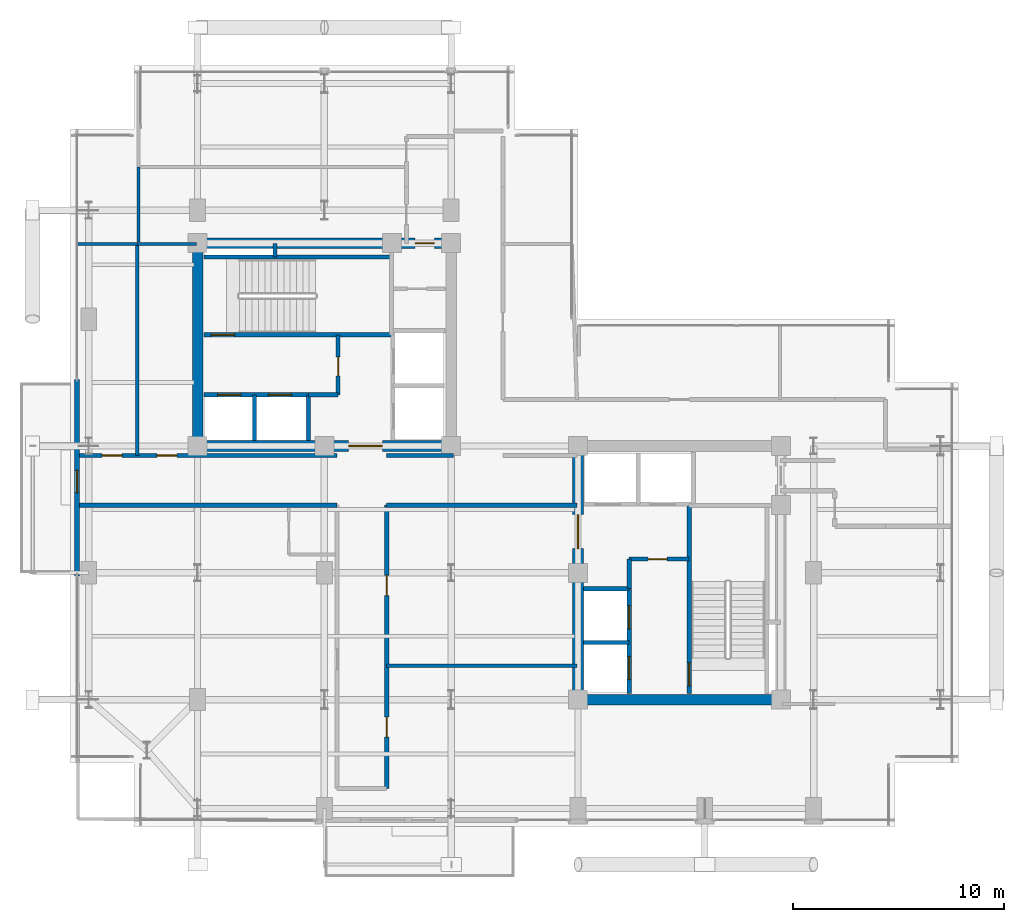
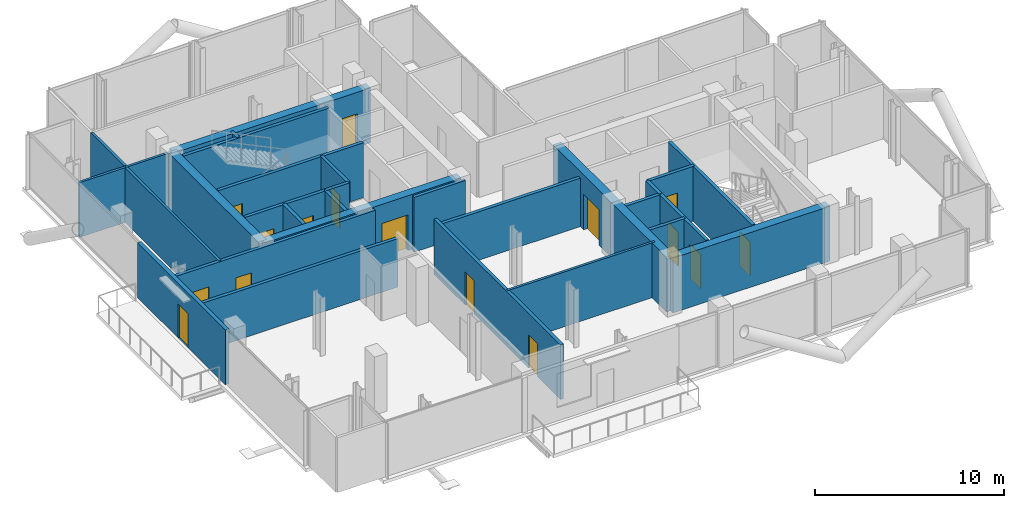
# One storey, part 17 of 21: 30 walls, 16 doors, 16 openings.
"""IFC4 building model written with IfcOpenShell, lengths in metres."""

from ifc_helpers import new_model, si_unit, direction, frame, frame_2d, origin, place, context, subcontext, project, spatial, rectangle, extrude, material, layer, layer_set, type_object, element, fill, save


model = new_model("IFC4")

# Units and contexts
model_context = context("Model", 3, precision=1e-05, world=origin(), true_north=direction((0.0, 1.0)))
body_context = subcontext(model_context, "Body", "Model", "MODEL_VIEW")
ifc_project = project(units=[si_unit("LENGTHUNIT", "METRE"), si_unit("AREAUNIT", "SQUARE_METRE"), si_unit("VOLUMEUNIT", "CUBIC_METRE"), si_unit("PLANEANGLEUNIT", "RADIAN"), si_unit("MASSUNIT", "GRAM", prefix="KILO"), si_unit("THERMODYNAMICTEMPERATUREUNIT", "KELVIN"), si_unit("POWERUNIT", "WATT")], contexts=[model_context])

# Site, building, storey
site_placement = place(None, origin())
site = spatial("IfcSite", under=ifc_project, at=site_placement, CompositionType="ELEMENT")
building_placement = place(site_placement, origin())
building = spatial("IfcBuilding", under=site, at=building_placement, Name="Svarakhadi Broadcast Tower", CompositionType="ELEMENT")
storey_placement = place(building_placement, frame((0.0, 0.0, 219.89990234375)))
storey = spatial("IfcBuildingStorey", under=building, at=storey_placement, Name="L54", CompositionType="ELEMENT", Elevation=219.89990234375)

# Wall, opening, door
ifc_material_1 = material(Name="Concrete C40/50 (IS 456 M50)", Category="concrete")
ifc_layer_1 = layer(ifc_material_1, 0.239990234375)
ifc_layer_set_1 = layer_set([ifc_layer_1], Name="Concrete C40/50 (IS 456 M50)")
wall_type_1 = type_object("IfcWallType", Name="Wall_Ext_240", PredefinedType="SOLIDWALL", material=ifc_layer_set_1)
wall_1_placement = place(storey_placement, frame((0.300048828125, 11.85498046875, 0.0), z_axis=(0.0, 0.0, 1.0), x_axis=(0.0, 1.0, 0.0)))
wall_1 = element("IfcWall", 1, at=wall_1_placement, inside=storey, type_object=wall_type_1, Name="L54 West Tree Balcony Spandrel Wall", PredefinedType="SOLIDWALL", context=body_context, shape_type="SweptSolid", body=[
    extrude(rectangle(XDim=9.2900390625, YDim=0.239990234375, at=frame_2d((4.64501953125, 0.0))), origin(), (0.0, 0.0, 1.0), 3.5400390625),
])
opening_1_placement = place(wall_1_placement, frame((3.945068359375, 0.0, 0.0)))
opening_1 = element("IfcOpeningElement", 2, at=opening_1_placement, cuts=wall_1, Name="Opening ED-05", PredefinedType="OPENING", context=body_context, shape_type="SweptSolid", body=[
    extrude(rectangle(XDim=1.050048828125, YDim=2.199951171875, at=frame_2d((0.52490234375, 1.10009765625))), frame((0.0, 0.1298828125, 0.0), z_axis=(0.0, -1.0, 0.0), x_axis=(1.0, 0.0, 0.0)), (0.0, 0.0, 1.0), 0.260009765625),
])
ifc_material_2 = material(Name="Anodised Bronze Aluminium AA 6063-T6", Category="aluminium")
door_type_1 = type_object("IfcDoorType", Name="Door_Ext_ED05", OperationType="SINGLE_SWING_LEFT", PredefinedType="DOOR", material=ifc_material_2)
door_1_placement = place(opening_1_placement, origin())
door_1 = element("IfcDoor", 3, at=door_1_placement, inside=storey, type_object=door_type_1, Name="L54 West Tree Balcony Door", OperationType="SINGLE_SWING_LEFT", OverallHeight=2.199951171875, OverallWidth=1.050048828125, PredefinedType="DOOR", context=body_context, shape_type="SweptSolid", body=[
    extrude(rectangle(XDim=1.050048828125, YDim=2.199951171875, at=frame_2d((0.52490234375, 1.10009765625))), frame((0.0, 0.02490234375, 0.0), z_axis=(0.0, -1.0, 0.0), x_axis=(1.0, 0.0, 0.0)), (0.0, 0.0, 1.0), 0.050048828125),
])
fill(opening_1, door_1)

# Wall
ifc_layer_2 = layer(ifc_material_1, 0.199951171875)
ifc_layer_set_2 = layer_set([ifc_layer_2], Name="Concrete C40/50 (IS 456 M50)")
wall_type_2 = type_object("IfcWallType", Name="Wall_Fire_200", PredefinedType="SOLIDWALL", material=ifc_layer_set_2)
wall_2_placement = place(storey_placement, frame((9.659912109375, 26.93994140625, 0.0), z_axis=(0.0, 0.0, 1.0), x_axis=(0.0, 1.0, 0.0)))
element("IfcWall", 4, at=wall_2_placement, inside=storey, type_object=wall_type_2, Name="L54 Wet Riser Shaft East Wall", PredefinedType="SOLIDWALL", context=body_context, shape_type="SweptSolid", body=[
    extrude(rectangle(XDim=0.64013671875, YDim=0.199951171875, at=frame_2d((0.320068359375, 0.0))), origin(), (0.0, 0.0, 1.0), 3.5400390625),
])

# Wall, openings, doors
wall_3_placement = place(storey_placement, frame((0.300048828125, 17.550048828125, 0.0), z_axis=(0.0, 0.0, 1.0), x_axis=(1.0, 0.0, 0.0)))
wall_3 = element("IfcWall", 5, at=wall_3_placement, inside=storey, type_object=wall_type_2, Name="L54 Upper Tower Concourse Wall", PredefinedType="SOLIDWALL", context=body_context, shape_type="SweptSolid", body=[
    extrude(rectangle(XDim=12.300048828125, YDim=0.199951171875, at=frame_2d((6.14990234375, 0.0))), origin(), (0.0, 0.0, 1.0), 3.5400390625),
])
opening_2_placement = place(wall_3_placement, frame((1.179931640625, 0.0, 0.0)))
opening_2 = element("IfcOpeningElement", 6, at=opening_2_placement, cuts=wall_3, Name="Opening D-07", PredefinedType="OPENING", context=body_context, shape_type="SweptSolid", body=[
    extrude(rectangle(XDim=0.949951171875, YDim=2.14990234375, at=frame_2d((0.47509765625, 1.074951171875))), frame((0.0, 0.10986328125, 0.0), z_axis=(0.0, -1.0, 0.0), x_axis=(1.0, 0.0, 0.0)), (0.0, 0.0, 1.0), 0.219970703125),
])
opening_3_placement = place(wall_3_placement, frame((3.77490234375, 0.0, 0.0)))
opening_3 = element("IfcOpeningElement", 7, at=opening_3_placement, cuts=wall_3, Name="Opening D-06", PredefinedType="OPENING", context=body_context, shape_type="SweptSolid", body=[
    extrude(rectangle(XDim=0.949951171875, YDim=2.14990234375, at=frame_2d((0.47509765625, 1.074951171875))), frame((0.0, 0.10986328125, 0.0), z_axis=(0.0, -1.0, 0.0), x_axis=(1.0, 0.0, 0.0)), (0.0, 0.0, 1.0), 0.219970703125),
])
ifc_material_3 = material(Name="Solid-Core Teak Veneer Acoustic Timber Leaf", Category="wood")
door_type_2 = type_object("IfcDoorType", Name="Door_Office_D06", OperationType="SINGLE_SWING_LEFT", PredefinedType="DOOR", material=ifc_material_3)
door_2_placement = place(opening_3_placement, origin())
door_2 = element("IfcDoor", 8, at=door_2_placement, inside=storey, type_object=door_type_2, Name="L54 Private Study and Library Office Door", OperationType="SINGLE_SWING_LEFT", OverallHeight=2.14990234375, OverallWidth=0.949951171875, PredefinedType="DOOR", context=body_context, shape_type="SweptSolid", body=[
    extrude(rectangle(XDim=0.949951171875, YDim=2.14990234375, at=frame_2d((0.47509765625, 1.074951171875))), frame((0.0, 0.02490234375, 0.0), z_axis=(0.0, -1.0, 0.0), x_axis=(1.0, 0.0, 0.0)), (0.0, 0.0, 1.0), 0.050048828125),
])
fill(opening_3, door_2)
door_type_3 = type_object("IfcDoorType", Name="Door_Office_D07", OperationType="SINGLE_SWING_RIGHT", PredefinedType="DOOR", material=ifc_material_3)
door_3_placement = place(opening_2_placement, origin())
door_3 = element("IfcDoor", 9, at=door_3_placement, inside=storey, type_object=door_type_3, Name="L54 Arabian Sea Panorama Salon Door", OperationType="SINGLE_SWING_RIGHT", OverallHeight=2.14990234375, OverallWidth=0.949951171875, PredefinedType="DOOR", context=body_context, shape_type="SweptSolid", body=[
    extrude(rectangle(XDim=0.949951171875, YDim=2.14990234375, at=frame_2d((0.47509765625, 1.074951171875))), frame((0.0, 0.02490234375, 0.0), z_axis=(0.0, -1.0, 0.0), x_axis=(1.0, 0.0, 0.0)), (0.0, 0.0, 1.0), 0.050048828125),
])
fill(opening_2, door_3)

# Walls
wall_4_placement = place(storey_placement, frame((14.949951171875, 17.550048828125, 0.0), z_axis=(0.0, 0.0, 1.0), x_axis=(1.0, 0.0, 0.0)))
element("IfcWall", 10, at=wall_4_placement, inside=storey, type_object=wall_type_2, Name="L54 Upper Tower Concourse Wall", PredefinedType="SOLIDWALL", context=body_context, shape_type="SweptSolid", body=[
    extrude(rectangle(XDim=3.150146484375, YDim=0.199951171875, at=frame_2d((1.5751953125, 0.0))), origin(), (0.0, 0.0, 1.0), 3.5400390625),
])
wall_5_placement = place(storey_placement, frame((23.949951171875, 15.199951171875, 0.0), z_axis=(0.0, 0.0, 1.0), x_axis=(-1.0, 0.0, 0.0)))
element("IfcWall", 11, at=wall_5_placement, inside=storey, type_object=wall_type_2, Name="L54 Upper Tower Concourse Wall", PredefinedType="SOLIDWALL", context=body_context, shape_type="SweptSolid", body=[
    extrude(rectangle(XDim=9.0, YDim=0.199951171875, at=frame_2d((4.5, 0.0))), origin(), (0.0, 0.0, 1.0), 3.132080078125),
])

# Wall, openings, doors
wall_6_placement = place(storey_placement, frame((14.949951171875, 15.199951171875, 0.0), z_axis=(0.0, 0.0, 1.0), x_axis=(0.0, -1.0, 0.0)))
wall_6 = element("IfcWall", 12, at=wall_6_placement, inside=storey, type_object=wall_type_2, Name="L54 Upper Tower Concourse Wall", PredefinedType="SOLIDWALL", context=body_context, shape_type="SweptSolid", body=[
    extrude(rectangle(XDim=13.39990234375, YDim=0.199951171875, at=frame_2d((6.699951171875, 0.0))), origin(), (0.0, 0.0, 1.0), 3.5400390625),
])
opening_4_placement = place(wall_6_placement, frame((10.02490234375, 0.0, 0.0)))
opening_4 = element("IfcOpeningElement", 13, at=opening_4_placement, cuts=wall_6, Name="Opening D-07", PredefinedType="OPENING", context=body_context, shape_type="SweptSolid", body=[
    extrude(rectangle(XDim=0.949951171875, YDim=2.14990234375, at=frame_2d((0.47509765625, 1.074951171875))), frame((0.0, 0.10986328125, 0.0), z_axis=(0.0, -1.0, 0.0), x_axis=(1.0, 0.0, 0.0)), (0.0, 0.0, 1.0), 0.219970703125),
])
opening_5_placement = place(wall_6_placement, frame((3.324951171875, 0.0, 0.0)))
opening_5 = element("IfcOpeningElement", 14, at=opening_5_placement, cuts=wall_6, Name="Opening D-06", PredefinedType="OPENING", context=body_context, shape_type="SweptSolid", body=[
    extrude(rectangle(XDim=0.949951171875, YDim=2.14990234375, at=frame_2d((0.47509765625, 1.074951171875))), frame((0.0, 0.10986328125, 0.0), z_axis=(0.0, -1.0, 0.0), x_axis=(1.0, 0.0, 0.0)), (0.0, 0.0, 1.0), 0.219970703125),
])
door_4_placement = place(opening_5_placement, origin())
door_4 = element("IfcDoor", 15, at=door_4_placement, inside=storey, type_object=door_type_2, Name="L54 Banquet Finishing Kitchen Door", OperationType="SINGLE_SWING_LEFT", OverallHeight=2.14990234375, OverallWidth=0.949951171875, PredefinedType="DOOR", context=body_context, shape_type="SweptSolid", body=[
    extrude(rectangle(XDim=0.949951171875, YDim=2.14990234375, at=frame_2d((0.47509765625, 1.074951171875))), frame((0.0, 0.02490234375, 0.0), z_axis=(0.0, -1.0, 0.0), x_axis=(1.0, 0.0, 0.0)), (0.0, 0.0, 1.0), 0.050048828125),
])
fill(opening_5, door_4)
door_5_placement = place(opening_4_placement, origin())
door_5 = element("IfcDoor", 16, at=door_5_placement, inside=storey, type_object=door_type_3, Name="L54 Skyline Private Banquet Dining Room Door", OperationType="SINGLE_SWING_RIGHT", OverallHeight=2.14990234375, OverallWidth=0.949951171875, PredefinedType="DOOR", context=body_context, shape_type="SweptSolid", body=[
    extrude(rectangle(XDim=0.949951171875, YDim=2.14990234375, at=frame_2d((0.47509765625, 1.074951171875))), frame((0.0, 0.02490234375, 0.0), z_axis=(0.0, -1.0, 0.0), x_axis=(1.0, 0.0, 0.0)), (0.0, 0.0, 1.0), 0.050048828125),
])
fill(opening_4, door_5)

# Walls
wall_7_placement = place(storey_placement, frame((12.60009765625, 15.199951171875, 0.0), z_axis=(0.0, 0.0, 1.0), x_axis=(-1.0, 0.0, 0.0)))
element("IfcWall", 17, at=wall_7_placement, inside=storey, type_object=wall_type_2, Name="L54 Upper Tower Concourse Wall", PredefinedType="SOLIDWALL", context=body_context, shape_type="SweptSolid", body=[
    extrude(rectangle(XDim=12.300048828125, YDim=0.199951171875, at=frame_2d((6.14990234375, 0.0))), origin(), (0.0, 0.0, 1.0), 3.132080078125),
])
ifc_material_4 = material(Name="Autoclaved Aerated Concrete Blockwork 150 mm", Category="masonry")
ifc_layer_3 = layer(ifc_material_4, 0.14990234375)
ifc_layer_set_3 = layer_set([ifc_layer_3], Name="Autoclaved Aerated Concrete Blockwork 150 mm")
wall_type_3 = type_object("IfcWallType", Name="Wall_Part_150", PredefinedType="PARTITIONING", material=ifc_layer_set_3)
wall_8_placement = place(storey_placement, frame((0.300048828125, 27.550048828125, 0.0), z_axis=(0.0, 0.0, 1.0), x_axis=(1.0, 0.0, 0.0)))
element("IfcWall", 18, at=wall_8_placement, inside=storey, type_object=wall_type_3, Name="L54 Arabian Sea Panorama Salon Wall", PredefinedType="PARTITIONING", context=body_context, shape_type="SweptSolid", body=[
    extrude(rectangle(XDim=2.849853515625, YDim=0.14990234375, at=frame_2d((1.4248046875, 0.0))), origin(), (0.0, 0.0, 1.0), 3.5400390625),
])
wall_9_placement = place(storey_placement, frame((3.14990234375, 17.550048828125, 0.0), z_axis=(0.0, 0.0, 1.0), x_axis=(0.0, 1.0, 0.0)))
element("IfcWall", 19, at=wall_9_placement, inside=storey, type_object=wall_type_3, Name="L54 Arabian Sea Panorama Salon Wall", PredefinedType="PARTITIONING", context=body_context, shape_type="SweptSolid", body=[
    extrude(rectangle(XDim=10.0, YDim=0.14990234375, at=frame_2d((5.0, 0.0))), origin(), (0.0, 0.0, 1.0), 3.5400390625),
])
wall_10_placement = place(storey_placement, frame((3.14990234375, 27.550048828125, 0.0), z_axis=(0.0, 0.0, 1.0), x_axis=(1.0, 0.0, 0.0)))
element("IfcWall", 20, at=wall_10_placement, inside=storey, type_object=wall_type_3, Name="L54 Private Study and Library Office Wall", PredefinedType="PARTITIONING", context=body_context, shape_type="SweptSolid", body=[
    extrude(rectangle(XDim=2.800048828125, YDim=0.14990234375, at=frame_2d((1.39990234375, 0.0))), origin(), (0.0, 0.0, 1.0), 3.5400390625),
])
wall_11_placement = place(storey_placement, frame((14.949951171875, 7.60009765625, 0.0), z_axis=(0.0, 0.0, 1.0), x_axis=(1.0, 0.0, 0.0)))
element("IfcWall", 21, at=wall_11_placement, inside=storey, type_object=wall_type_3, Name="L54 Skyline Private Banquet Dining Room Wall", PredefinedType="PARTITIONING", context=body_context, shape_type="SweptSolid", body=[
    extrude(rectangle(XDim=9.0, YDim=0.14990234375, at=frame_2d((4.5, 0.0))), origin(), (0.0, 0.0, 1.0), 3.5400390625),
])
wall_12_placement = place(storey_placement, frame((3.199951171875, 27.64990234375, 0.0), z_axis=(0.0, 0.0, 1.0), x_axis=(0.0, 1.0, 0.0)))
element("IfcWall", 22, at=wall_12_placement, inside=storey, type_object=wall_type_3, Name="L54 Ambassador Sky Lounge Wall", PredefinedType="PARTITIONING", context=body_context, shape_type="SweptSolid", body=[
    extrude(rectangle(XDim=3.550048828125, YDim=0.14990234375, at=frame_2d((1.77490234375, 0.0))), origin(), (0.0, 0.0, 1.0), 3.5400390625),
])

# Wall, opening, door
ifc_material_5 = material(Name="Concrete C50/60 (IS 456 M60)", Category="concrete")
ifc_layer_4 = layer(ifc_material_5, 0.199951171875)
ifc_layer_set_4 = layer_set([ifc_layer_4], Name="Concrete C50/60 (IS 456 M60)")
wall_type_4 = type_object("IfcWallType", Name="Wall_Shear_200", PredefinedType="SHEAR", material=ifc_layer_set_4)
wall_13_placement = place(storey_placement, frame((6.300048828125, 23.260009765625, 0.0), z_axis=(0.0, 0.0, 1.0), x_axis=(1.0, 0.0, 0.0)))
wall_13 = element("IfcWall", 23, at=wall_13_placement, inside=storey, type_object=wall_type_4, Name="L54 Stair ST-01 South RC Shaft Wall", PredefinedType="SHEAR", context=body_context, shape_type="SweptSolid", body=[
    extrude(rectangle(XDim=8.8798828125, YDim=0.199951171875, at=frame_2d((4.43994140625, 0.0))), origin(), (0.0, 0.0, 1.0), 3.5400390625),
])
opening_6_placement = place(wall_13_placement, frame((0.35009765625, 0.0, 0.0)))
opening_6 = element("IfcOpeningElement", 24, at=opening_6_placement, cuts=wall_13, Name="Opening D-01", PredefinedType="OPENING", context=body_context, shape_type="SweptSolid", body=[
    extrude(rectangle(XDim=1.10009765625, YDim=2.199951171875, at=frame_2d((0.550048828125, 1.10009765625))), frame((0.0, 0.10986328125, 0.0), z_axis=(0.0, -1.0, 0.0), x_axis=(1.0, 0.0, 0.0)), (0.0, 0.0, 1.0), 0.219970703125),
])
ifc_material_6 = material(Name="Galvanised Powder-Coated Fire-Rated Steel Leaf", Category="steel")
door_type_4 = type_object("IfcDoorType", Name="Door_Stair_D01", OperationType="SINGLE_SWING_LEFT", PredefinedType="DOOR", material=ifc_material_6)
door_6_placement = place(opening_6_placement, origin())
door_6 = element("IfcDoor", 25, at=door_6_placement, inside=storey, type_object=door_type_4, Name="L54 Protected Exit Stair ST-01 Fire Door", OperationType="SINGLE_SWING_LEFT", OverallHeight=2.199951171875, OverallWidth=1.10009765625, PredefinedType="DOOR", context=body_context, shape_type="SweptSolid", body=[
    extrude(rectangle(XDim=1.10009765625, YDim=2.199951171875, at=frame_2d((0.550048828125, 1.10009765625))), frame((0.0, 0.02490234375, 0.0), z_axis=(0.0, -1.0, 0.0), x_axis=(1.0, 0.0, 0.0)), (0.0, 0.0, 1.0), 0.050048828125),
])
fill(opening_6, door_6)

# Wall
wall_14_placement = place(storey_placement, frame((6.300048828125, 26.93994140625, 0.0), z_axis=(0.0, 0.0, 1.0), x_axis=(1.0, 0.0, 0.0)))
element("IfcWall", 26, at=wall_14_placement, inside=storey, type_object=wall_type_4, Name="L54 Stair ST-01 North RC Shaft Wall", PredefinedType="SHEAR", context=body_context, shape_type="SweptSolid", body=[
    extrude(rectangle(XDim=8.8798828125, YDim=0.199951171875, at=frame_2d((4.43994140625, 0.0))), origin(), (0.0, 0.0, 1.0), 3.5400390625),
])

# Wall, opening, door
wall_15_placement = place(storey_placement, frame((29.260009765625, 6.300048828125, 0.0), z_axis=(0.0, 0.0, 1.0), x_axis=(0.0, 1.0, 0.0)))
wall_15 = element("IfcWall", 27, at=wall_15_placement, inside=storey, type_object=wall_type_4, Name="L54 Stair ST-02 West RC Shaft Wall", PredefinedType="SHEAR", context=body_context, shape_type="SweptSolid", body=[
    extrude(rectangle(XDim=8.8798828125, YDim=0.199951171875, at=frame_2d((4.43994140625, 0.0))), origin(), (0.0, 0.0, 1.0), 3.5400390625),
])
opening_7_placement = place(wall_15_placement, frame((0.35009765625, 0.0, 0.0)))
opening_7 = element("IfcOpeningElement", 28, at=opening_7_placement, cuts=wall_15, Name="Opening D-02", PredefinedType="OPENING", context=body_context, shape_type="SweptSolid", body=[
    extrude(rectangle(XDim=1.10009765625, YDim=2.199951171875, at=frame_2d((0.550048828125, 1.10009765625))), frame((0.0, 0.10986328125, 0.0), z_axis=(0.0, -1.0, 0.0), x_axis=(1.0, 0.0, 0.0)), (0.0, 0.0, 1.0), 0.219970703125),
])
door_type_5 = type_object("IfcDoorType", Name="Door_Stair_D02", OperationType="SINGLE_SWING_RIGHT", PredefinedType="DOOR", material=ifc_material_6)
door_7_placement = place(opening_7_placement, origin())
door_7 = element("IfcDoor", 29, at=door_7_placement, inside=storey, type_object=door_type_5, Name="L54 Protected Exit Stair ST-02 Fire Door", OperationType="SINGLE_SWING_RIGHT", OverallHeight=2.199951171875, OverallWidth=1.10009765625, PredefinedType="DOOR", context=body_context, shape_type="SweptSolid", body=[
    extrude(rectangle(XDim=1.10009765625, YDim=2.199951171875, at=frame_2d((0.550048828125, 1.10009765625))), frame((0.0, 0.02490234375, 0.0), z_axis=(0.0, -1.0, 0.0), x_axis=(1.0, 0.0, 0.0)), (0.0, 0.0, 1.0), 0.050048828125),
])
fill(opening_7, door_7)

# Wall, openings, doors
wall_16_placement = place(storey_placement, frame((6.300048828125, 20.419921875, 0.0), z_axis=(0.0, 0.0, 1.0), x_axis=(1.0, 0.0, 0.0)))
wall_16 = element("IfcWall", 30, at=wall_16_placement, inside=storey, type_object=wall_type_4, Name="L54 Firefighting Lift LF-01/02 Shaft Wall", PredefinedType="SHEAR", context=body_context, shape_type="SweptSolid", body=[
    extrude(rectangle(XDim=4.949951171875, YDim=0.199951171875, at=frame_2d((2.47509765625, 0.0))), origin(), (0.0, 0.0, 1.0), 3.5400390625),
])
opening_8_placement = place(wall_16_placement, frame((0.64990234375, 0.0, 0.0)))
opening_8 = element("IfcOpeningElement", 31, at=opening_8_placement, cuts=wall_16, Name="Opening LD-01", PredefinedType="OPENING", context=body_context, shape_type="SweptSolid", body=[
    extrude(rectangle(XDim=1.10009765625, YDim=2.199951171875, at=frame_2d((0.550048828125, 1.10009765625))), frame((0.0, 0.10986328125, 0.0), z_axis=(0.0, -1.0, 0.0), x_axis=(1.0, 0.0, 0.0)), (0.0, 0.0, 1.0), 0.219970703125),
])
opening_9_placement = place(wall_16_placement, frame((3.050048828125, 0.0, 0.0)))
opening_9 = element("IfcOpeningElement", 32, at=opening_9_placement, cuts=wall_16, Name="Opening LD-01", PredefinedType="OPENING", context=body_context, shape_type="SweptSolid", body=[
    extrude(rectangle(XDim=1.10009765625, YDim=2.199951171875, at=frame_2d((0.550048828125, 1.10009765625))), frame((0.0, 0.10986328125, 0.0), z_axis=(0.0, -1.0, 0.0), x_axis=(1.0, 0.0, 0.0)), (0.0, 0.0, 1.0), 0.219970703125),
])
door_type_6 = type_object("IfcDoorType", Name="Door_Lift_LD01", OperationType="SLIDING_TO_LEFT", PredefinedType="DOOR", material=ifc_material_6)
door_8_placement = place(opening_8_placement, origin())
door_8 = element("IfcDoor", 33, at=door_8_placement, inside=storey, type_object=door_type_6, Name="L54 Firefighting Lift LF-01 Landing Door", OperationType="SLIDING_TO_LEFT", OverallHeight=2.199951171875, OverallWidth=1.10009765625, PredefinedType="DOOR", context=body_context, shape_type="SweptSolid", body=[
    extrude(rectangle(XDim=1.10009765625, YDim=2.199951171875, at=frame_2d((0.550048828125, 1.10009765625))), frame((0.0, 0.02490234375, 0.0), z_axis=(0.0, -1.0, 0.0), x_axis=(1.0, 0.0, 0.0)), (0.0, 0.0, 1.0), 0.050048828125),
])
fill(opening_8, door_8)
door_9_placement = place(opening_9_placement, origin())
door_9 = element("IfcDoor", 34, at=door_9_placement, inside=storey, type_object=door_type_6, Name="L54 Firefighting Lift LF-02 Landing Door", OperationType="SLIDING_TO_LEFT", OverallHeight=2.199951171875, OverallWidth=1.10009765625, PredefinedType="DOOR", context=body_context, shape_type="SweptSolid", body=[
    extrude(rectangle(XDim=1.10009765625, YDim=2.199951171875, at=frame_2d((0.550048828125, 1.10009765625))), frame((0.0, 0.02490234375, 0.0), z_axis=(0.0, -1.0, 0.0), x_axis=(1.0, 0.0, 0.0)), (0.0, 0.0, 1.0), 0.050048828125),
])
fill(opening_9, door_9)

# Walls
for number, where, z_axis, x_axis, name in (
    (35, (8.699951171875, 18.25, 0.0), (0.0, 0.0, 1.0), (0.0, 1.0, 0.0), "L54 Firefighting Lift LF-01/02 Divider Wall"),
    (36, (11.25, 18.25, 0.0), (0.0, 0.0, 1.0), (0.0, 1.0, 0.0), "L54 Firefighting Lift LF-02 East Wall"),
):
    element("IfcWall", number, at=place(storey_placement, frame(where, z_axis=z_axis, x_axis=x_axis)), inside=storey, type_object=wall_type_4, Name=name, PredefinedType="SHEAR", context=body_context, shape_type="SweptSolid", body=[
        extrude(rectangle(XDim=2.169921875, YDim=0.199951171875, at=frame_2d((1.0849609375, 0.0))), origin(), (0.0, 0.0, 1.0), 3.5400390625),
    ])
wall_17_placement = place(storey_placement, frame((11.25, 20.419921875, 0.0), z_axis=(0.0, 0.0, 1.0), x_axis=(1.0, 0.0, 0.0)))
element("IfcWall", 37, at=wall_17_placement, inside=storey, type_object=wall_type_4, Name="L54 West Firefighting Lobby South Wall", PredefinedType="SHEAR", context=body_context, shape_type="SweptSolid", body=[
    extrude(rectangle(XDim=1.39990234375, YDim=0.199951171875, at=frame_2d((0.699951171875, 0.0))), origin(), (0.0, 0.0, 1.0), 3.5400390625),
])

# Wall, opening, door
wall_18_placement = place(storey_placement, frame((12.64990234375, 20.419921875, 0.0), z_axis=(0.0, 0.0, 1.0), x_axis=(0.0, 1.0, 0.0)))
wall_18 = element("IfcWall", 38, at=wall_18_placement, inside=storey, type_object=wall_type_4, Name="L54 West Firefighting Lobby East Wall", PredefinedType="SHEAR", context=body_context, shape_type="SweptSolid", body=[
    extrude(rectangle(XDim=2.840087890625, YDim=0.199951171875, at=frame_2d((1.419921875, 0.0))), origin(), (0.0, 0.0, 1.0), 3.5400390625),
])
opening_10_placement = place(wall_18_placement, frame((0.89990234375, 0.0, 0.0)))
opening_10 = element("IfcOpeningElement", 39, at=opening_10_placement, cuts=wall_18, Name="Opening D-04", PredefinedType="OPENING", context=body_context, shape_type="SweptSolid", body=[
    extrude(rectangle(XDim=0.89990234375, YDim=2.14990234375, at=frame_2d((0.449951171875, 1.074951171875))), frame((0.0, 0.10986328125, 0.0), z_axis=(0.0, -1.0, 0.0), x_axis=(1.0, 0.0, 0.0)), (0.0, 0.0, 1.0), 0.219970703125),
])
door_type_7 = type_object("IfcDoorType", Name="Door_Fire_D04", OperationType="SINGLE_SWING_RIGHT", PredefinedType="DOOR", material=ifc_material_6)
door_10_placement = place(opening_10_placement, origin())
door_10 = element("IfcDoor", 40, at=door_10_placement, inside=storey, type_object=door_type_7, Name="L54 West Firefighting Lobby Fire Door", OperationType="SINGLE_SWING_RIGHT", OverallHeight=2.14990234375, OverallWidth=0.89990234375, PredefinedType="DOOR", context=body_context, shape_type="SweptSolid", body=[
    extrude(rectangle(XDim=0.89990234375, YDim=2.14990234375, at=frame_2d((0.449951171875, 1.074951171875))), frame((0.0, 0.02490234375, 0.0), z_axis=(0.0, -1.0, 0.0), x_axis=(1.0, 0.0, 0.0)), (0.0, 0.0, 1.0), 0.050048828125),
])
fill(opening_10, door_10)

# Wall, openings, doors
wall_19_placement = place(storey_placement, frame((26.419921875, 6.300048828125, 0.0), z_axis=(0.0, 0.0, 1.0), x_axis=(0.0, 1.0, 0.0)))
wall_19 = element("IfcWall", 41, at=wall_19_placement, inside=storey, type_object=wall_type_4, Name="L54 Firefighting Lift LF-03/04 Shaft Wall", PredefinedType="SHEAR", context=body_context, shape_type="SweptSolid", body=[
    extrude(rectangle(XDim=4.949951171875, YDim=0.199951171875, at=frame_2d((2.47509765625, 0.0))), origin(), (0.0, 0.0, 1.0), 3.5400390625),
])
opening_11_placement = place(wall_19_placement, frame((0.64990234375, 0.0, 0.0)))
opening_11 = element("IfcOpeningElement", 42, at=opening_11_placement, cuts=wall_19, Name="Opening LD-01", PredefinedType="OPENING", context=body_context, shape_type="SweptSolid", body=[
    extrude(rectangle(XDim=1.10009765625, YDim=2.199951171875, at=frame_2d((0.550048828125, 1.10009765625))), frame((0.0, 0.10986328125, 0.0), z_axis=(0.0, -1.0, 0.0), x_axis=(1.0, 0.0, 0.0)), (0.0, 0.0, 1.0), 0.219970703125),
])
opening_12_placement = place(wall_19_placement, frame((3.050048828125, 0.0, 0.0)))
opening_12 = element("IfcOpeningElement", 43, at=opening_12_placement, cuts=wall_19, Name="Opening LD-01", PredefinedType="OPENING", context=body_context, shape_type="SweptSolid", body=[
    extrude(rectangle(XDim=1.10009765625, YDim=2.199951171875, at=frame_2d((0.550048828125, 1.10009765625))), frame((0.0, 0.10986328125, 0.0), z_axis=(0.0, -1.0, 0.0), x_axis=(1.0, 0.0, 0.0)), (0.0, 0.0, 1.0), 0.219970703125),
])
door_11_placement = place(opening_11_placement, origin())
door_11 = element("IfcDoor", 44, at=door_11_placement, inside=storey, type_object=door_type_6, Name="L54 Firefighting Lift LF-03 Landing Door", OperationType="SLIDING_TO_LEFT", OverallHeight=2.199951171875, OverallWidth=1.10009765625, PredefinedType="DOOR", context=body_context, shape_type="SweptSolid", body=[
    extrude(rectangle(XDim=1.10009765625, YDim=2.199951171875, at=frame_2d((0.550048828125, 1.10009765625))), frame((0.0, 0.02490234375, 0.0), z_axis=(0.0, -1.0, 0.0), x_axis=(1.0, 0.0, 0.0)), (0.0, 0.0, 1.0), 0.050048828125),
])
fill(opening_11, door_11)
door_12_placement = place(opening_12_placement, origin())
door_12 = element("IfcDoor", 45, at=door_12_placement, inside=storey, type_object=door_type_6, Name="L54 Firefighting Lift LF-04 Landing Door", OperationType="SLIDING_TO_LEFT", OverallHeight=2.199951171875, OverallWidth=1.10009765625, PredefinedType="DOOR", context=body_context, shape_type="SweptSolid", body=[
    extrude(rectangle(XDim=1.10009765625, YDim=2.199951171875, at=frame_2d((0.550048828125, 1.10009765625))), frame((0.0, 0.02490234375, 0.0), z_axis=(0.0, -1.0, 0.0), x_axis=(1.0, 0.0, 0.0)), (0.0, 0.0, 1.0), 0.050048828125),
])
fill(opening_12, door_12)

# Walls
for number, where, z_axis, x_axis, name in (
    (46, (24.25, 8.699951171875, 0.0), (0.0, 0.0, 1.0), (1.0, 0.0, 0.0), "L54 Firefighting Lift LF-03/04 Divider Wall"),
    (47, (24.25, 11.25, 0.0), (0.0, 0.0, 1.0), (1.0, 0.0, 0.0), "L54 Firefighting Lift LF-04 North Wall"),
):
    element("IfcWall", number, at=place(storey_placement, frame(where, z_axis=z_axis, x_axis=x_axis)), inside=storey, type_object=wall_type_4, Name=name, PredefinedType="SHEAR", context=body_context, shape_type="SweptSolid", body=[
        extrude(rectangle(XDim=2.169921875, YDim=0.199951171875, at=frame_2d((1.0849609375, 0.0))), origin(), (0.0, 0.0, 1.0), 3.5400390625),
    ])
wall_20_placement = place(storey_placement, frame((26.419921875, 11.25, 0.0), z_axis=(0.0, 0.0, 1.0), x_axis=(0.0, 1.0, 0.0)))
element("IfcWall", 48, at=wall_20_placement, inside=storey, type_object=wall_type_4, Name="L54 East Firefighting Lobby West Wall", PredefinedType="SHEAR", context=body_context, shape_type="SweptSolid", body=[
    extrude(rectangle(XDim=1.39990234375, YDim=0.199951171875, at=frame_2d((0.699951171875, 0.0))), origin(), (0.0, 0.0, 1.0), 3.5400390625),
])

# Wall, opening, door
wall_21_placement = place(storey_placement, frame((26.419921875, 12.64990234375, 0.0), z_axis=(0.0, 0.0, 1.0), x_axis=(1.0, 0.0, 0.0)))
wall_21 = element("IfcWall", 49, at=wall_21_placement, inside=storey, type_object=wall_type_4, Name="L54 East Firefighting Lobby North Wall", PredefinedType="SHEAR", context=body_context, shape_type="SweptSolid", body=[
    extrude(rectangle(XDim=2.840087890625, YDim=0.199951171875, at=frame_2d((1.419921875, 0.0))), origin(), (0.0, 0.0, 1.0), 3.5400390625),
])
opening_13_placement = place(wall_21_placement, frame((0.89990234375, 0.0, 0.0)))
opening_13 = element("IfcOpeningElement", 50, at=opening_13_placement, cuts=wall_21, Name="Opening D-03", PredefinedType="OPENING", context=body_context, shape_type="SweptSolid", body=[
    extrude(rectangle(XDim=0.89990234375, YDim=2.14990234375, at=frame_2d((0.449951171875, 1.074951171875))), frame((0.0, 0.10986328125, 0.0), z_axis=(0.0, -1.0, 0.0), x_axis=(1.0, 0.0, 0.0)), (0.0, 0.0, 1.0), 0.219970703125),
])
door_type_8 = type_object("IfcDoorType", Name="Door_Fire_D03", OperationType="SINGLE_SWING_LEFT", PredefinedType="DOOR", material=ifc_material_6)
door_13_placement = place(opening_13_placement, origin())
door_13 = element("IfcDoor", 51, at=door_13_placement, inside=storey, type_object=door_type_8, Name="L54 East Firefighting Lobby Fire Door", OperationType="SINGLE_SWING_LEFT", OverallHeight=2.14990234375, OverallWidth=0.89990234375, PredefinedType="DOOR", context=body_context, shape_type="SweptSolid", body=[
    extrude(rectangle(XDim=0.89990234375, YDim=2.14990234375, at=frame_2d((0.449951171875, 1.074951171875))), frame((0.0, 0.02490234375, 0.0), z_axis=(0.0, -1.0, 0.0), x_axis=(1.0, 0.0, 0.0)), (0.0, 0.0, 1.0), 0.050048828125),
])
fill(opening_13, door_13)

ifc_layer_5 = layer(ifc_material_5, 0.5)
ifc_layer_set_5 = layer_set([ifc_layer_5], Name="Concrete C50/60 (IS 456 M60)")
wall_type_5 = type_object("IfcWallType", Name="Wall_Shear_500", PredefinedType="SHEAR", material=ifc_layer_set_5)
wall_22_placement = place(storey_placement, frame((6.0, 18.0, 0.0), z_axis=(0.0, 0.0, 1.0), x_axis=(1.0, 0.0, 0.0)))
wall_22 = element("IfcWall", 52, at=wall_22_placement, inside=storey, type_object=wall_type_5, Name="L54 West Core South Shear Wall", PredefinedType="SHEAR", context=body_context, shape_type="SweptSolid", body=[
    extrude(rectangle(XDim=12.0, YDim=0.5, at=frame_2d((6.0, 0.0))), origin(), (0.0, 0.0, 1.0), 3.5400390625),
])
opening_14_placement = place(wall_22_placement, frame((7.14990234375, 0.0, 0.0)))
opening_14 = element("IfcOpeningElement", 53, at=opening_14_placement, cuts=wall_22, Name="Opening D-05", PredefinedType="OPENING", context=body_context, shape_type="SweptSolid", body=[
    extrude(rectangle(XDim=1.60009765625, YDim=2.300048828125, at=frame_2d((0.800048828125, 1.14990234375))), frame((0.0, 0.260009765625, 0.0), z_axis=(0.0, -1.0, 0.0), x_axis=(1.0, 0.0, 0.0)), (0.0, 0.0, 1.0), 0.52001953125),
])
door_type_9 = type_object("IfcDoorType", Name="Door_Lobby_D05", OperationType="DOUBLE_DOOR_SLIDING", PredefinedType="DOOR", material=ifc_material_2)
door_14_placement = place(opening_14_placement, origin())
door_14 = element("IfcDoor", 54, at=door_14_placement, inside=storey, type_object=door_type_9, Name="L54 West Core Passenger Lift Lobby Entrance Door", OperationType="DOUBLE_DOOR_SLIDING", OverallHeight=2.300048828125, OverallWidth=1.60009765625, PredefinedType="DOOR", context=body_context, shape_type="SweptSolid", body=[
    extrude(rectangle(XDim=1.60009765625, YDim=2.300048828125, at=frame_2d((0.800048828125, 1.14990234375))), frame((0.0, 0.02490234375, 0.0), z_axis=(0.0, -1.0, 0.0), x_axis=(1.0, 0.0, 0.0)), (0.0, 0.0, 1.0), 0.050048828125),
])
fill(opening_14, door_14)

wall_23_placement = place(storey_placement, frame((6.0, 27.60009765625, 0.0), z_axis=(0.0, 0.0, 1.0), x_axis=(1.0, 0.0, 0.0)))
wall_23 = element("IfcWall", 55, at=wall_23_placement, inside=storey, type_object=wall_type_5, Name="L54 West Core North Shear Wall", PredefinedType="SHEAR", context=body_context, shape_type="SweptSolid", body=[
    extrude(rectangle(XDim=12.0, YDim=0.5, at=frame_2d((6.0, 0.0))), origin(), (0.0, 0.0, 1.0), 3.5400390625),
])
opening_15_placement = place(wall_23_placement, frame((10.300048828125, 0.0, 0.0)))
opening_15 = element("IfcOpeningElement", 56, at=opening_15_placement, cuts=wall_23, Name="Opening D-03", PredefinedType="OPENING", context=body_context, shape_type="SweptSolid", body=[
    extrude(rectangle(XDim=0.89990234375, YDim=2.14990234375, at=frame_2d((0.449951171875, 1.074951171875))), frame((0.0, 0.260009765625, 0.0), z_axis=(0.0, -1.0, 0.0), x_axis=(1.0, 0.0, 0.0)), (0.0, 0.0, 1.0), 0.52001953125),
])
door_15_placement = place(opening_15_placement, origin())
door_15 = element("IfcDoor", 57, at=door_15_placement, inside=storey, type_object=door_type_8, Name="L54 West Core Outer Store Door", OperationType="SINGLE_SWING_LEFT", OverallHeight=2.14990234375, OverallWidth=0.89990234375, PredefinedType="DOOR", context=body_context, shape_type="SweptSolid", body=[
    extrude(rectangle(XDim=0.89990234375, YDim=2.14990234375, at=frame_2d((0.449951171875, 1.074951171875))), frame((0.0, 0.02490234375, 0.0), z_axis=(0.0, -1.0, 0.0), x_axis=(1.0, 0.0, 0.0)), (0.0, 0.0, 1.0), 0.050048828125),
])
fill(opening_15, door_15)

# Walls
for number, where, z_axis, x_axis, name in (
    (58, (6.0, 18.0, 0.0), (0.0, 0.0, 1.0), (0.0, 1.0, 0.0), "L54 West Core West Shear Wall"),
    (59, (24.0, 6.0, 0.0), (0.0, 0.0, 1.0), (1.0, 0.0, 0.0), "L54 East Core South Shear Wall"),
):
    element("IfcWall", number, at=place(storey_placement, frame(where, z_axis=z_axis, x_axis=x_axis)), inside=storey, type_object=wall_type_5, Name=name, PredefinedType="SHEAR", context=body_context, shape_type="SweptSolid", body=[
        extrude(rectangle(XDim=9.60009765625, YDim=0.5, at=frame_2d((4.800048828125, 0.0))), origin(), (0.0, 0.0, 1.0), 3.5400390625),
    ])

# Wall, opening, door
wall_24_placement = place(storey_placement, frame((24.0, 6.0, 0.0), z_axis=(0.0, 0.0, 1.0), x_axis=(0.0, 1.0, 0.0)))
wall_24 = element("IfcWall", 60, at=wall_24_placement, inside=storey, type_object=wall_type_5, Name="L54 East Core West Shear Wall", PredefinedType="SHEAR", context=body_context, shape_type="SweptSolid", body=[
    extrude(rectangle(XDim=12.0, YDim=0.5, at=frame_2d((6.0, 0.0))), origin(), (0.0, 0.0, 1.0), 3.5400390625),
])
opening_16_placement = place(wall_24_placement, frame((7.14990234375, 0.0, 0.0)))
opening_16 = element("IfcOpeningElement", 61, at=opening_16_placement, cuts=wall_24, Name="Opening D-05", PredefinedType="OPENING", context=body_context, shape_type="SweptSolid", body=[
    extrude(rectangle(XDim=1.60009765625, YDim=2.300048828125, at=frame_2d((0.800048828125, 1.14990234375))), frame((0.0, 0.260009765625, 0.0), z_axis=(0.0, -1.0, 0.0), x_axis=(1.0, 0.0, 0.0)), (0.0, 0.0, 1.0), 0.52001953125),
])
door_16_placement = place(opening_16_placement, origin())
door_16 = element("IfcDoor", 62, at=door_16_placement, inside=storey, type_object=door_type_9, Name="L54 East Core Passenger Lift Lobby Entrance Door", OperationType="DOUBLE_DOOR_SLIDING", OverallHeight=2.300048828125, OverallWidth=1.60009765625, PredefinedType="DOOR", context=body_context, shape_type="SweptSolid", body=[
    extrude(rectangle(XDim=1.60009765625, YDim=2.300048828125, at=frame_2d((0.800048828125, 1.14990234375))), frame((0.0, 0.02490234375, 0.0), z_axis=(0.0, -1.0, 0.0), x_axis=(1.0, 0.0, 0.0)), (0.0, 0.0, 1.0), 0.050048828125),
])
fill(opening_16, door_16)

save(model, "model.ifc")
